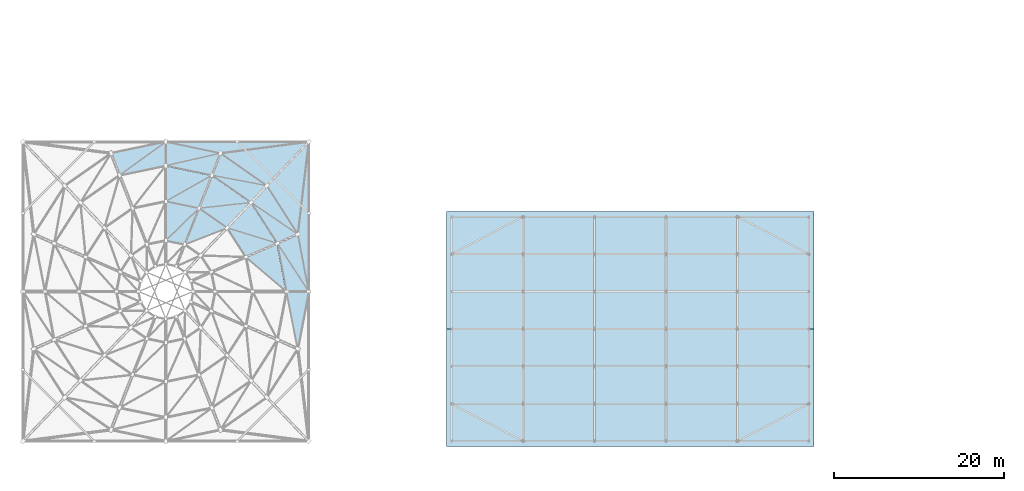
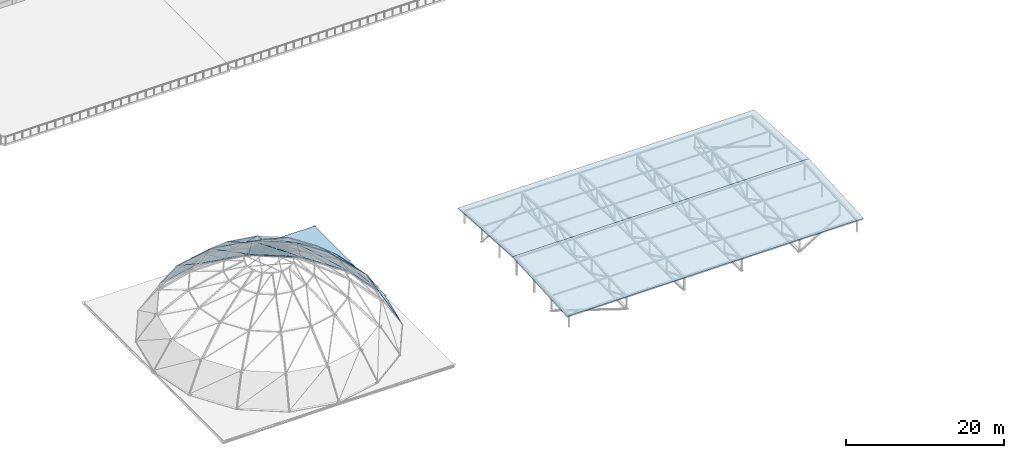
# One storey, part 41 of 49: 24 roofs.
"""IFC4 building model written with IfcOpenShell, lengths in metres."""

from ifc_helpers import new_model, si_unit, direction, frame, origin, place, context, subcontext, project, spatial, polyline, outline, extrude, material, layer, layer_set, type_object, element, save


model = new_model("IFC4")

# Units and contexts
model_context = context("Model", 3, precision=1e-05, world=origin(), true_north=direction((0.0, 1.0)))
body_context = subcontext(model_context, "Body", "Model", "MODEL_VIEW")
ifc_project = project(units=[si_unit("LENGTHUNIT", "METRE"), si_unit("AREAUNIT", "SQUARE_METRE"), si_unit("VOLUMEUNIT", "CUBIC_METRE"), si_unit("PLANEANGLEUNIT", "RADIAN"), si_unit("MASSUNIT", "GRAM", prefix="KILO")], contexts=[model_context])

# Site, building, storey
site_placement = place(None, origin())
site = spatial("IfcSite", under=ifc_project, at=site_placement, CompositionType="ELEMENT")
building_placement = place(site_placement, origin())
building = spatial("IfcBuilding", under=site, at=building_placement, Name="Kemercrest Conservatory and Botanical Centre", CompositionType="ELEMENT")
storey_placement = place(building_placement, frame((0.0, 0.0, 13.199951171875)))
storey = spatial("IfcBuildingStorey", under=building, at=storey_placement, Name="L03", CompositionType="ELEMENT", Elevation=13.199951171875)

# Roofs
ifc_material_1 = material(Name="Low-iron laminated structural glass", Category="glass")
ifc_layer_1 = layer(ifc_material_1, 0.080078125)
ifc_layer_set_1 = layer_set([ifc_layer_1], Name="Low-iron laminated structural glass")
roof_type_1 = type_object("IfcRoofType", Name="RF-DOME01", PredefinedType="DOME_ROOF", material=ifc_layer_set_1)
roof_1_placement = place(storey_placement, origin())
element("IfcRoof", 1, at=roof_1_placement, inside=storey, type_object=roof_type_1, Name="Conservatory dome pendentive deck NE", PredefinedType="DOME_ROOF", context=body_context, shape_type="SweptSolid", body=[
    extrude(outline(polyline([(41.60009765625, 52.0), (41.60009765625, 34.39990234375), (40.3212890625, 41.13525390625), (36.679443359375, 46.84521484375), (31.22900390625, 50.660400390625), (24.800048828125, 52.0), (41.60009765625, 52.0)])), origin(), (0.0, 0.0, 1.0), 0.10009765625),
])
roof_2_placement = place(storey_placement, frame((41.60009765625, 34.39990234375, 0.280029296875), z_axis=(0.82629600846, 0.156884822833, 0.540945522921), x_axis=(-0.186532785347, 0.982448736571, 0.0)))
element("IfcRoof", 2, at=roof_2_placement, inside=storey, type_object=roof_type_1, Name="Conservatory dome glass shell facet R0-00-T1", PredefinedType="DOME_ROOF", context=body_context, shape_type="SweptSolid", body=[
    extrude(outline(polyline([(0.0, 0.0), (6.855677361860026, 0.0), (6.251021251073965, 4.732113846694667), (0.0, 0.0)])), origin(), (0.0, 0.0, -1.0), 0.080078125),
])
roof_3_placement = place(storey_placement, frame((41.60009765625, 34.39990234375, 0.280029296875), z_axis=(0.826698105035, 0.157756477046, 0.540076973293), x_axis=(-0.469493789307, 0.722410719516, 0.507639965065)))
element("IfcRoof", 3, at=roof_3_placement, inside=storey, type_object=roof_type_1, Name="Conservatory dome glass shell facet R0-00-T2", PredefinedType="DOME_ROOF", context=body_context, shape_type="SweptSolid", body=[
    extrude(outline(polyline([(0.0, 0.0), (7.840163782693427, 0.0), (3.2411268473167594, 3.4779087269896465), (0.0, 0.0)])), origin(), (0.0, 0.0, -1.0), 0.080078125),
])
roof_4_placement = place(storey_placement, frame((40.3212890625, 41.13525390625, 0.280029296875), z_axis=(0.704635627044, 0.449420628041, 0.549099018567), x_axis=(-0.537740594043, 0.843110344806, 0.0)))
element("IfcRoof", 4, at=roof_4_placement, inside=storey, type_object=roof_type_1, Name="Conservatory dome glass shell facet R0-01-T1", PredefinedType="DOME_ROOF", context=body_context, shape_type="SweptSolid", body=[
    extrude(outline(polyline([(0.0, 0.0), (6.772495406653733, 2.220446049250313e-16), (6.091855640384075, 4.762124673434668), (0.0, 0.0)])), origin(), (0.0, 0.0, -1.0), 0.080078125),
])
roof_5_placement = place(storey_placement, frame((40.3212890625, 41.13525390625, 0.280029296875), z_axis=(0.704739454101, 0.451825889905, 0.54698781252), x_axis=(-0.708775576789, 0.482389222299, 0.51472110891)))
element("IfcRoof", 5, at=roof_5_placement, inside=storey, type_object=roof_type_1, Name="Conservatory dome glass shell facet R0-01-T2", PredefinedType="DOME_ROOF", context=body_context, shape_type="SweptSolid", body=[
    extrude(outline(polyline([(0.0, 0.0), (7.732304737179885, 4.440892098500626e-16), (3.234233427929522, 3.5068853137868037), (0.0, 0.0)])), origin(), (0.0, 0.0, -1.0), 0.080078125),
])
roof_6_placement = place(storey_placement, frame((36.679443359375, 46.84521484375, 0.280029296875), z_axis=(0.475118987322, 0.678763127405, 0.559948716189), x_axis=(-0.819240540317, 0.573450030169, 0.0)))
element("IfcRoof", 6, at=roof_6_placement, inside=storey, type_object=roof_type_1, Name="Conservatory dome glass shell facet R0-02-T1", PredefinedType="DOME_ROOF", context=body_context, shape_type="SweptSolid", body=[
    extrude(outline(polyline([(0.0, 0.0), (6.653039229499962, -2.220446049250313e-16), (5.984613614782257, 4.803680721632041), (0.0, 0.0)])), origin(), (0.0, 0.0, -1.0), 0.080078125),
])
roof_7_placement = place(storey_placement, frame((36.679443359375, 46.84521484375, 0.280029296875), z_axis=(0.474287675249, 0.681023829562, 0.557904781011), x_axis=(-0.839884765954, 0.160055312785, 0.518628842977)))
element("IfcRoof", 7, at=roof_7_placement, inside=storey, type_object=roof_type_1, Name="Conservatory dome glass shell facet R0-02-T2", PredefinedType="DOME_ROOF", context=body_context, shape_type="SweptSolid", body=[
    extrude(outline(polyline([(0.0, 0.0), (7.674043822758408, -4.440892098500626e-16), (3.2914577597471597, 3.508191515947078), (0.0, 0.0)])), origin(), (0.0, 0.0, -1.0), 0.080078125),
])
roof_8_placement = place(storey_placement, frame((31.22900390625, 50.660400390625, 0.280029296875), z_axis=(0.167997656513, 0.806247911235, 0.567222260701), x_axis=(-0.978973305469, 0.203988399617, 0.0)))
element("IfcRoof", 8, at=roof_8_placement, inside=storey, type_object=roof_type_1, Name="Conservatory dome glass shell facet R0-03-T1", PredefinedType="DOME_ROOF", context=body_context, shape_type="SweptSolid", body=[
    extrude(outline(polyline([(0.0, 0.0), (6.56703818399032, 0.0), (5.995860704692035, 4.8326260209805305), (0.0, 0.0)])), origin(), (0.0, 0.0, -1.0), 0.080078125),
])
roof_9_placement = place(storey_placement, frame((31.22900390625, 50.660400390625, 0.280029296875), z_axis=(0.167289002104, 0.807004466587, 0.566355171852), x_axis=(-0.834826310685, -0.189645349581, 0.516816865408)))
element("IfcRoof", 9, at=roof_9_placement, inside=storey, type_object=roof_type_1, Name="Conservatory dome glass shell facet R0-03-T2", PredefinedType="DOME_ROOF", context=body_context, shape_type="SweptSolid", body=[
    extrude(outline(polyline([(0.0, 0.0), (7.7009492823111225, 4.440892098500626e-16), (3.3780634472861495, 3.480061583348675), (0.0, 0.0)])), origin(), (0.0, 0.0, -1.0), 0.080078125),
])
roof_10_placement = place(storey_placement, frame((24.800048828125, 52.0, 0.280029296875), z_axis=(-0.168103225027, 0.806785188236, 0.566426487533), x_axis=(-0.978974852353, -0.20398097573, 0.0)))
element("IfcRoof", 10, at=roof_10_placement, inside=storey, type_object=roof_type_1, Name="Conservatory dome glass shell facet R0-04-T1", PredefinedType="DOME_ROOF", context=body_context, shape_type="SweptSolid", body=[
    extrude(outline(polyline([(0.0, 0.0), (6.567277191333808, 0.0), (6.120763744224011, 4.829415374224894), (0.0, 0.0)])), origin(), (0.0, 0.0, -1.0), 0.080078125),
])
roof_11_placement = place(storey_placement, frame((24.800048828125, 52.0, 0.280029296875), z_axis=(-0.167156414632, 0.806364862783, 0.567304540011), x_axis=(-0.696980823106, -0.503618590081, 0.510476295187)))
element("IfcRoof", 11, at=roof_11_placement, inside=storey, type_object=roof_type_1, Name="Conservatory dome glass shell facet R0-04-T2", PredefinedType="DOME_ROOF", context=body_context, shape_type="SweptSolid", body=[
    extrude(outline(polyline([(0.0, 0.0), (7.796601930931635, 4.440892098500626e-16), (3.441842327581205, 3.440092929498569), (0.0, 0.0)])), origin(), (0.0, 0.0, -1.0), 0.080078125),
])
roof_12_placement = place(storey_placement, frame((40.3212890625, 27.664794921875, 0.280029296875), z_axis=(0.826800846371, -0.156986364349, 0.540144093599), x_axis=(0.186539311687, 0.982447497424, 0.0)))
element("IfcRoof", 12, at=roof_12_placement, inside=storey, type_object=roof_type_1, Name="Conservatory dome glass shell facet R0-15-T1", PredefinedType="DOME_ROOF", context=body_context, shape_type="SweptSolid", body=[
    extrude(outline(polyline([(0.0, 0.0), (6.85543750636271, -2.220446049250313e-16), (6.3704170792469075, 4.729218491352309), (0.0, 0.0)])), origin(), (0.0, 0.0, -1.0), 0.080078125),
])
roof_13_placement = place(storey_placement, frame((39.0, 34.39990234375, 4.260009765625), z_axis=(0.663382381561, 0.126591396318, 0.737494701142), x_axis=(-0.187444805042, 0.98227513715, 0.0)))
element("IfcRoof", 13, at=roof_13_placement, inside=storey, type_object=roof_type_1, Name="Conservatory dome glass shell facet R1-00-T1", PredefinedType="DOME_ROOF", context=body_context, shape_type="SweptSolid", body=[
    extrude(outline(polyline([(0.0, 0.0), (5.766020277993268, 0.0), (4.87980262929243, 5.3306908916165785), (0.0, 0.0)])), origin(), (0.0, 0.0, -1.0), 0.080078125),
])
roof_14_placement = place(storey_placement, frame((37.919189453125, 40.063720703125, 4.260009765625), z_axis=(0.564416257821, 0.36186121904, 0.741950635866), x_axis=(-0.539725234225, 0.841841238917, 0.0)))
element("IfcRoof", 14, at=roof_14_placement, inside=storey, type_object=roof_type_1, Name="Conservatory dome glass shell facet R1-01-T1", PredefinedType="DOME_ROOF", context=body_context, shape_type="SweptSolid", body=[
    extrude(outline(polyline([(0.0, 0.0), (5.703585723661463, 2.220446049250313e-16), (4.729884104294607, 5.369637442513202), (0.0, 0.0)])), origin(), (0.0, 0.0, -1.0), 0.080078125),
])
roof_15_placement = place(storey_placement, frame((37.919189453125, 40.063720703125, 4.260009765625), z_axis=(0.56442508607, 0.362913389503, 0.741429830756), x_axis=(-0.8254529981, 0.255953889053, 0.503105311647)))
element("IfcRoof", 15, at=roof_15_placement, inside=storey, type_object=roof_type_1, Name="Conservatory dome glass shell facet R1-01-T2", PredefinedType="DOME_ROOF", context=body_context, shape_type="SweptSolid", body=[
    extrude(outline(polyline([(0.0, 0.0), (7.155753622372596, 0.0), (4.4503106817020495, 3.065351845899821), (0.0, 0.0)])), origin(), (0.0, 0.0, -1.0), 0.080078125),
])
roof_16_placement = place(storey_placement, frame((34.8408203125, 44.865234375, 4.260009765625), z_axis=(0.379212376499, 0.544506379436, 0.748138206659), x_axis=(-0.820604594636, 0.571496368547, 0.0)))
element("IfcRoof", 16, at=roof_16_placement, inside=storey, type_object=roof_type_1, Name="Conservatory dome glass shell facet R1-02-T1", PredefinedType="DOME_ROOF", context=body_context, shape_type="SweptSolid", body=[
    extrude(outline(polyline([(0.0, 0.0), (5.613774871889992, 2.220446049250313e-16), (4.6523069828966195, 5.425568532215992), (0.0, 0.0)])), origin(), (0.0, 0.0, -1.0), 0.080078125),
])
roof_17_placement = place(storey_placement, frame((34.8408203125, 44.865234375, 4.260009765625), z_axis=(0.378800430707, 0.545501597727, 0.747621722914), x_axis=(-0.858735465908, -0.094041081095, 0.503715866991)))
element("IfcRoof", 17, at=roof_17_placement, inside=storey, type_object=roof_type_1, Name="Conservatory dome glass shell facet R1-02-T2", PredefinedType="DOME_ROOF", context=body_context, shape_type="SweptSolid", body=[
    extrude(outline(polyline([(0.0, 0.0), (7.147080114346071, -2.220446049250313e-16), (4.5215464596458235, 3.055604477163508), (0.0, 0.0)])), origin(), (0.0, 0.0, -1.0), 0.080078125),
])
roof_18_placement = place(storey_placement, frame((30.234130859375, 48.073486328125, 4.260009765625), z_axis=(0.133698417088, 0.644963018539, 0.752427696184), x_axis=(-0.979182696245, 0.202980903966, 0.0)))
element("IfcRoof", 18, at=roof_18_placement, inside=storey, type_object=roof_type_1, Name="Conservatory dome glass shell facet R1-03-T1", PredefinedType="DOME_ROOF", context=body_context, shape_type="SweptSolid", body=[
    extrude(outline(polyline([(0.0, 0.0), (5.549609947244837, 1.1102230246251565e-16), (4.697100061764938, 5.465667376984258), (0.0, 0.0)])), origin(), (0.0, 0.0, -1.0), 0.080078125),
])
roof_19_placement = place(storey_placement, frame((30.234130859375, 48.073486328125, 4.260009765625), z_axis=(0.133388353342, 0.645268681764, 0.752220629554), x_axis=(-0.754033805362, -0.426477292466, 0.499549936826)))
element("IfcRoof", 19, at=roof_19_placement, inside=storey, type_object=roof_type_1, Name="Conservatory dome glass shell facet R1-03-T2", PredefinedType="DOME_ROOF", context=body_context, shape_type="SweptSolid", body=[
    extrude(outline(polyline([(0.0, 0.0), (7.2066822370673576, 2.220446049250313e-16), (4.6075647984620876, 3.021847287225281), (0.0, 0.0)])), origin(), (0.0, 0.0, -1.0), 0.080078125),
])
roof_20_placement = place(storey_placement, frame((32.012451171875, 41.895263671875, 7.860107421875), z_axis=(0.287674410558, 0.414273157745, 0.863493592496), x_axis=(-0.821384161354, 0.570375367173, 0.0)))
element("IfcRoof", 20, at=roof_20_placement, inside=storey, type_object=roof_type_1, Name="Conservatory dome glass shell facet R2-02-T1", PredefinedType="DOME_ROOF", context=body_context, shape_type="SweptSolid", body=[
    extrude(outline(polyline([(0.0, 0.0), (4.028665497757951, 0.0), (2.9877872127186533, 5.154759509874143), (0.0, 0.0)])), origin(), (0.0, 0.0, -1.0), 0.080078125),
])
roof_21_placement = place(storey_placement, frame((28.703369140625, 44.193115234375, 7.860107421875), z_axis=(0.101188827137, 0.48950286483, 0.866110712661), x_axis=(-0.979295186651, 0.20243749011, 0.0)))
element("IfcRoof", 21, at=roof_21_placement, inside=storey, type_object=roof_type_1, Name="Conservatory dome glass shell facet R2-03-T1", PredefinedType="DOME_ROOF", context=body_context, shape_type="SweptSolid", body=[
    extrude(outline(polyline([(0.0, 0.0), (3.98584652074974, 0.0), (3.0546142969567347, 5.201244398710173), (0.0, 0.0)])), origin(), (0.0, 0.0, -1.0), 0.080078125),
])
roof_22_placement = place(storey_placement, frame((28.703369140625, 44.193115234375, 7.860107421875), z_axis=(0.100760197793, 0.48984543216, 0.865966994251), x_axis=(-0.647114732086, -0.628860494897, 0.431018562796)))
element("IfcRoof", 22, at=roof_22_placement, inside=storey, type_object=roof_type_1, Name="Conservatory dome glass shell facet R2-03-T2", PredefinedType="DOME_ROOF", context=body_context, shape_type="SweptSolid", body=[
    extrude(outline(polyline([(0.0, 0.0), (6.031882939703525, 0.0), (4.882725004172473, 1.9529387452076397), (0.0, 0.0)])), origin(), (0.0, 0.0, -1.0), 0.080078125),
])
ifc_material_2 = material(Name="Standing-seam bronze-zinc insulated roof deck", Category="aluminium")
ifc_layer_2 = layer(ifc_material_2, 0.179931640625)
ifc_layer_set_2 = layer_set([ifc_layer_2], Name="Standing-seam bronze-zinc insulated roof deck")
roof_type_2 = type_object("IfcRoofType", Name="RF-GABLE01", PredefinedType="GABLE_ROOF", material=ifc_layer_set_2)
for number, where, z_axis, x_axis, name in (
    (23, (57.800048828125, 16.199951171875, 2.20361328125), (0.0, -0.060499325675, 0.998168238121), (1.0, 0.0, 0.0), "Symposium Auditorium South Pitched Standing-Seam Roof"),
    (24, (57.800048828125, 30.0, 3.0400390625), (0.0, 0.060499325675, 0.998168238121), (1.0, 0.0, 0.0), "Symposium Auditorium North Pitched Standing-Seam Roof"),
):
    element("IfcRoof", number, at=place(storey_placement, frame(where, z_axis=z_axis, x_axis=x_axis)), inside=storey, type_object=roof_type_2, Name=name, PredefinedType="GABLE_ROOF", context=body_context, shape_type="SweptSolid", body=[
        extrude(outline(polyline([(0.0, 0.0), (43.199951171875, 0.0), (43.199951171875, 13.825373620491197), (0.0, 13.825373620491197), (0.0, 0.0)])), origin(), (0.0, 0.0, -1.0), 0.179931640625),
    ])

save(model, "model.ifc")
